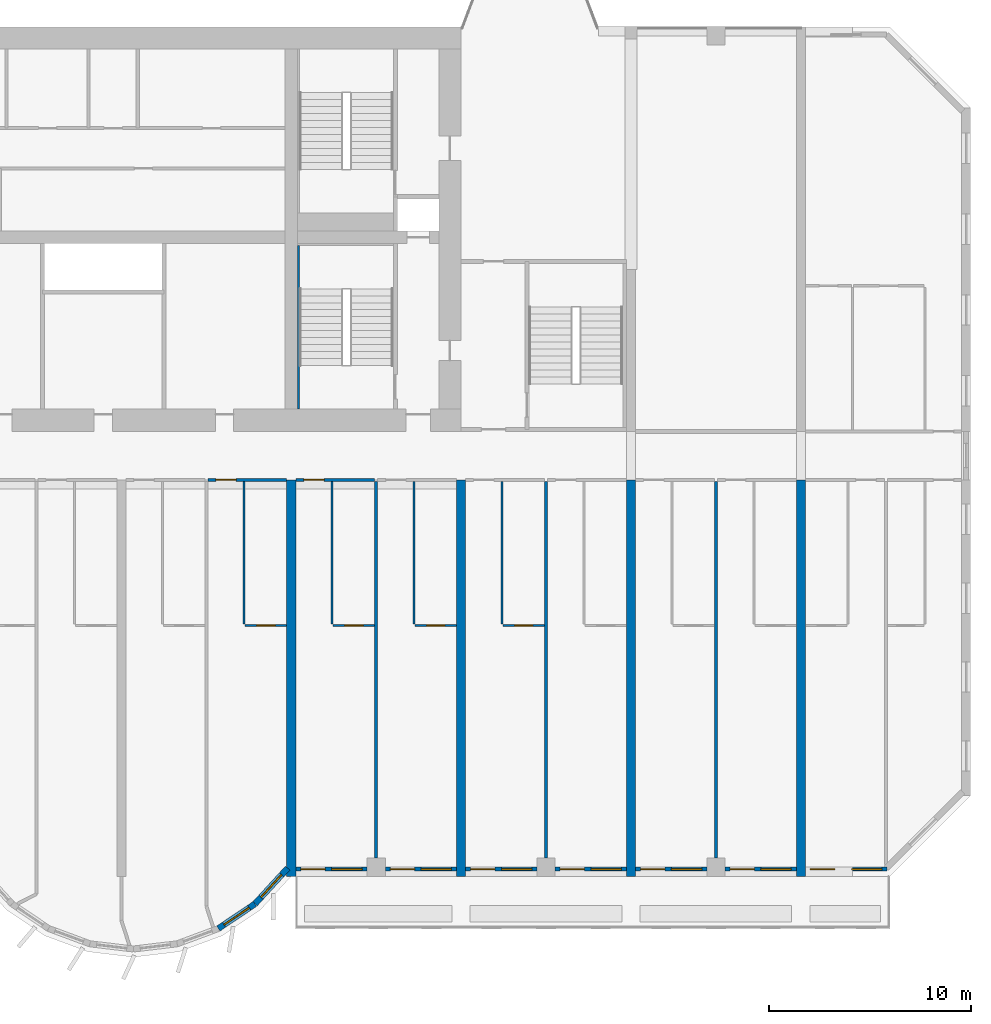
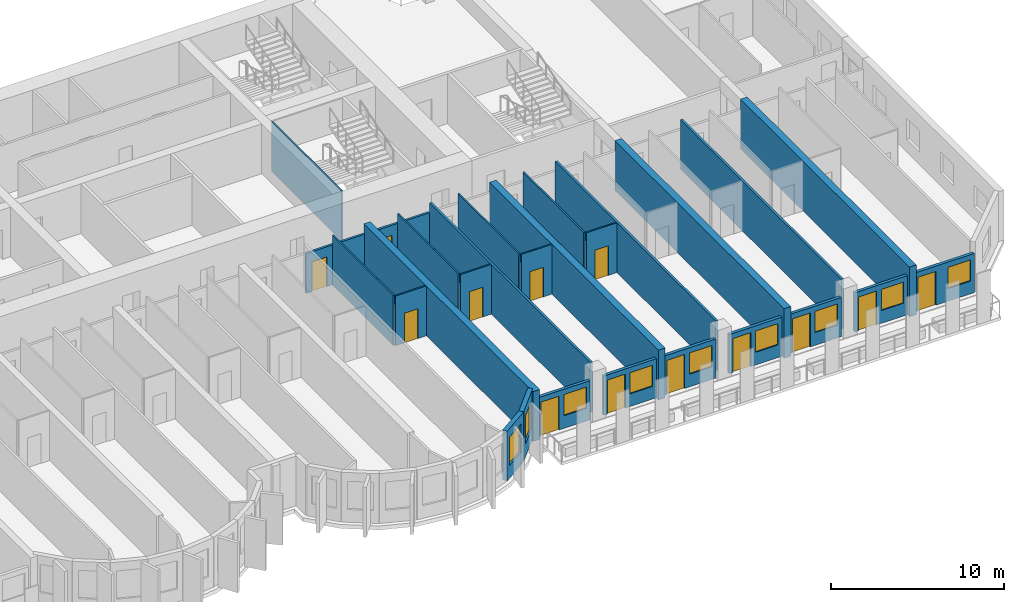
# One storey, part 8 of 14: 27 walls, 13 doors, 9 windows, 22 openings.
"""IFC4 building model written with IfcOpenShell, lengths in metres."""

from ifc_helpers import new_model, si_unit, direction, frame, frame_2d, origin, place, context, subcontext, project, spatial, rectangle, extrude, source, transform, mapped, material, layer, layer_set, type_object, element, fill, save


model = new_model("IFC4")

# Units and contexts
model_context = context("Model", 3, precision=1e-05, world=origin(), true_north=direction((0.0, 1.0)))
body_context = subcontext(model_context, "Body", "Model", "MODEL_VIEW")
ifc_project = project(units=[si_unit("LENGTHUNIT", "METRE"), si_unit("AREAUNIT", "SQUARE_METRE"), si_unit("VOLUMEUNIT", "CUBIC_METRE"), si_unit("PLANEANGLEUNIT", "RADIAN"), si_unit("MASSUNIT", "GRAM", prefix="KILO")], contexts=[model_context])

# Site, building, storey
site_placement = place(None, origin())
site = spatial("IfcSite", under=ifc_project, at=site_placement, CompositionType="ELEMENT")
building_placement = place(site_placement, origin())
building = spatial("IfcBuilding", under=site, at=building_placement, Name="Vanashikhar Sky Hotel", CompositionType="ELEMENT")
storey_placement = place(building_placement, frame((0.0, 0.0, 27.800048828125)))
storey = spatial("IfcBuildingStorey", under=building, at=storey_placement, Name="L05", CompositionType="ELEMENT", Elevation=27.800048828125)

# Walls
ifc_material_1 = material(Name="Concrete M80", Category="concrete")
ifc_layer_1 = layer(ifc_material_1, 0.449951171875)
ifc_layer_set_1 = layer_set([ifc_layer_1], Name="RC shear wall 450 Concrete M80")
wall_type_1 = type_object("IfcWallType", Name="RC shear wall 450 Concrete M80", PredefinedType="SHEAR", material=ifc_layer_set_1)
shared_shape_1 = source(origin(), body_context, "Body", "SweptSolid", [
    extrude(rectangle(XDim=19.60009765625, YDim=0.449951171875, at=frame_2d((9.800048828125, 0.0))), origin(), (0.0, 0.0, 1.0), 3.52001953125),
])
for number, where, z_axis, x_axis, name in (
    (1, (67.199951171875, 0.0, 0.0), (0.0, 0.0, 1.0), (0.0, 1.0, 0.0), "CW-L05-XW09-1"),
    (2, (75.60009765625, 0.0, 0.0), (0.0, 0.0, 1.0), (0.0, 1.0, 0.0), "CW-L05-XW10-1"),
    (3, (84.0, 0.0, 0.0), (0.0, 0.0, 1.0), (0.0, 1.0, 0.0), "CW-L05-XW11-1"),
    (4, (92.39990234375, 0.0, 0.0), (0.0, 0.0, 1.0), (0.0, 1.0, 0.0), "CW-L05-XW12-1"),
):
    element("IfcWall", number, at=place(storey_placement, frame(where, z_axis=z_axis, x_axis=x_axis)), inside=storey, type_object=wall_type_1, Name=name, PredefinedType="SHEAR", context=body_context, shape_type="MappedRepresentation", body=[
        mapped(shared_shape_1, transform((0.0, 0.0, 0.0), scale=1.0)),
    ])

# Wall, openings, window, door
ifc_material_2 = material(Name="Concrete M50", Category="concrete")
ifc_layer_2 = layer(ifc_material_2, 0.199951171875)
ifc_layer_set_2 = layer_set([ifc_layer_2], Name="Front window wall 200")
wall_type_2 = type_object("IfcWallType", Name="Front window wall 200", PredefinedType="SOLIDWALL", material=ifc_layer_set_2)
shared_shape_2 = source(origin(), body_context, "Body", "SweptSolid", [
    extrude(rectangle(XDim=4.030029296875, YDim=0.199951171875, at=frame_2d((2.01513671875, 0.0))), origin(), (0.0, 0.0, 1.0), 2.77001953125),
])
wall_1_placement = place(storey_placement, frame((92.625, 0.35009765625, 0.0), z_axis=(0.0, 0.0, 1.0), x_axis=(1.0, 0.0, 0.0)))
wall_1 = element("IfcWall", 5, at=wall_1_placement, inside=storey, type_object=wall_type_2, Name="Front window wall", PredefinedType="SOLIDWALL", context=body_context, shape_type="MappedRepresentation", body=[
    mapped(shared_shape_2, transform((0.0, 0.0, 0.0), scale=1.0)),
])
shared_shape_3 = source(origin(), body_context, "Body", "SweptSolid", [
    extrude(rectangle(XDim=1.199951171875, YDim=2.39990234375, at=frame_2d((0.60009765625, 1.199951171875))), frame((0.0, 0.10986328125, 0.0), z_axis=(0.0, -1.0, 0.0), x_axis=(1.0, 0.0, 0.0)), (0.0, 0.0, 1.0), 0.219970703125),
])
opening_1_placement = place(wall_1_placement, frame((0.25, 0.0, 0.0)))
opening_1 = element("IfcOpeningElement", 6, at=opening_1_placement, cuts=wall_1, Name="Opening BD-14", PredefinedType="OPENING", context=body_context, shape_type="MappedRepresentation", body=[
    mapped(shared_shape_3, transform((0.0, 0.0, 0.0), scale=1.0)),
])
shared_shape_4 = source(origin(), body_context, "Body", "SweptSolid", [
    extrude(rectangle(XDim=1.5, YDim=1.5, at=frame_2d((0.75, 0.75))), frame((0.0, 0.10986328125, 0.0), z_axis=(0.0, -1.0, 0.0), x_axis=(1.0, 0.0, 0.0)), (0.0, 0.0, 1.0), 0.219970703125),
])
opening_2_placement = place(wall_1_placement, frame((2.280029296875, 0.0, 0.89990234375)))
opening_2 = element("IfcOpeningElement", 7, at=opening_2_placement, cuts=wall_1, Name="Opening WN-1", PredefinedType="OPENING", context=body_context, shape_type="MappedRepresentation", body=[
    mapped(shared_shape_4, transform((0.0, 0.0, 0.0), scale=1.0)),
])
ifc_material_3 = material(Name="Glass", Category="glass")
window_type_1 = type_object("IfcWindowType", Name="Window 1500 x 1500", PartitioningType="SINGLE_PANEL", PredefinedType="WINDOW", material=ifc_material_3)
shared_shape_5 = source(origin(), body_context, "Body", "SweptSolid", [
    extrude(rectangle(XDim=1.5, YDim=1.5, at=frame_2d((0.75, 0.75))), frame((0.0, 0.030029296875, 0.0), z_axis=(0.0, -1.0, 0.0), x_axis=(1.0, 0.0, 0.0)), (0.0, 0.0, 1.0), 0.06005859375),
])
window_1_placement = place(opening_2_placement, origin())
window_1 = element("IfcWindow", 8, at=window_1_placement, inside=storey, type_object=window_type_1, Name="Window WN-1", OverallHeight=1.5, OverallWidth=1.5, PartitioningType="SINGLE_PANEL", PredefinedType="WINDOW", context=body_context, shape_type="MappedRepresentation", body=[
    mapped(shared_shape_5, transform((0.0, 0.0, 0.0), scale=1.0)),
])
fill(opening_2, window_1)
ifc_material_4 = material(Name="Aluminium", Category="aluminium")
door_type_1 = type_object("IfcDoorType", Name="Balcony sliding door 1200 x 2400", OperationType="NOTDEFINED", PredefinedType="DOOR", material=ifc_material_4)
shared_shape_6 = source(origin(), body_context, "Body", "SweptSolid", [
    extrude(rectangle(XDim=1.199951171875, YDim=2.39990234375, at=frame_2d((0.60009765625, 1.199951171875))), frame((0.0, 0.02490234375, 0.0), z_axis=(0.0, -1.0, 0.0), x_axis=(1.0, 0.0, 0.0)), (0.0, 0.0, 1.0), 0.050048828125),
])
door_1_placement = place(opening_1_placement, origin())
door_1 = element("IfcDoor", 9, at=door_1_placement, inside=storey, type_object=door_type_1, Name="Balcony sliding door", OperationType="SLIDING_TO_RIGHT", OverallHeight=2.39990234375, OverallWidth=1.199951171875, PredefinedType="DOOR", context=body_context, shape_type="MappedRepresentation", body=[
    mapped(shared_shape_6, transform((0.0, 0.0, 0.0), scale=1.0)),
])
fill(opening_1, door_1)

shared_shape_7 = source(origin(), body_context, "Body", "SweptSolid", [
    extrude(rectangle(XDim=3.52490234375, YDim=0.199951171875, at=frame_2d((1.762451171875, 0.0))), origin(), (0.0, 0.0, 1.0), 2.77001953125),
])
wall_2_placement = place(storey_placement, frame((67.425048828125, 0.35009765625, 0.0), z_axis=(0.0, 0.0, 1.0), x_axis=(1.0, 0.0, 0.0)))
wall_2 = element("IfcWall", 10, at=wall_2_placement, inside=storey, type_object=wall_type_2, Name="Front window wall", PredefinedType="SOLIDWALL", context=body_context, shape_type="MappedRepresentation", body=[
    mapped(shared_shape_7, transform((0.0, 0.0, 0.0), scale=1.0)),
])
opening_3_placement = place(wall_2_placement, frame((0.25, 0.0, 0.0)))
opening_3 = element("IfcOpeningElement", 11, at=opening_3_placement, cuts=wall_2, Name="Opening BD-08", PredefinedType="OPENING", context=body_context, shape_type="MappedRepresentation", body=[
    mapped(shared_shape_3, transform((0.0, 0.0, 0.0), scale=1.0)),
])
opening_4_placement = place(wall_2_placement, frame((1.77490234375, 0.0, 0.89990234375)))
opening_4 = element("IfcOpeningElement", 12, at=opening_4_placement, cuts=wall_2, Name="Opening WN-1", PredefinedType="OPENING", context=body_context, shape_type="MappedRepresentation", body=[
    mapped(shared_shape_4, transform((0.0, 0.0, 0.0), scale=1.0)),
])
window_2_placement = place(opening_4_placement, origin())
window_2 = element("IfcWindow", 13, at=window_2_placement, inside=storey, type_object=window_type_1, Name="Window WN-1", OverallHeight=1.5, OverallWidth=1.5, PartitioningType="SINGLE_PANEL", PredefinedType="WINDOW", context=body_context, shape_type="MappedRepresentation", body=[
    mapped(shared_shape_5, transform((0.0, 0.0, 0.0), scale=1.0)),
])
fill(opening_4, window_2)
door_2_placement = place(opening_3_placement, origin())
door_2 = element("IfcDoor", 14, at=door_2_placement, inside=storey, type_object=door_type_1, Name="Balcony sliding door", OperationType="SLIDING_TO_RIGHT", OverallHeight=2.39990234375, OverallWidth=1.199951171875, PredefinedType="DOOR", context=body_context, shape_type="MappedRepresentation", body=[
    mapped(shared_shape_6, transform((0.0, 0.0, 0.0), scale=1.0)),
])
fill(opening_3, door_2)

wall_3_placement = place(storey_placement, frame((71.85009765625, 0.35009765625, 0.0), z_axis=(0.0, 0.0, 1.0), x_axis=(1.0, 0.0, 0.0)))
wall_3 = element("IfcWall", 15, at=wall_3_placement, inside=storey, type_object=wall_type_2, Name="Front window wall", PredefinedType="SOLIDWALL", context=body_context, shape_type="MappedRepresentation", body=[
    mapped(shared_shape_7, transform((0.0, 0.0, 0.0), scale=1.0)),
])
opening_5_placement = place(wall_3_placement, frame((0.25, 0.0, 0.0)))
opening_5 = element("IfcOpeningElement", 16, at=opening_5_placement, cuts=wall_3, Name="Opening BD-09", PredefinedType="OPENING", context=body_context, shape_type="MappedRepresentation", body=[
    mapped(shared_shape_3, transform((0.0, 0.0, 0.0), scale=1.0)),
])
opening_6_placement = place(wall_3_placement, frame((1.77490234375, 0.0, 0.89990234375)))
opening_6 = element("IfcOpeningElement", 17, at=opening_6_placement, cuts=wall_3, Name="Opening WN-1", PredefinedType="OPENING", context=body_context, shape_type="MappedRepresentation", body=[
    mapped(shared_shape_4, transform((0.0, 0.0, 0.0), scale=1.0)),
])
window_3_placement = place(opening_6_placement, origin())
window_3 = element("IfcWindow", 18, at=window_3_placement, inside=storey, type_object=window_type_1, Name="Window WN-1", OverallHeight=1.5, OverallWidth=1.5, PartitioningType="SINGLE_PANEL", PredefinedType="WINDOW", context=body_context, shape_type="MappedRepresentation", body=[
    mapped(shared_shape_5, transform((0.0, 0.0, 0.0), scale=1.0)),
])
fill(opening_6, window_3)
door_3_placement = place(opening_5_placement, origin())
door_3 = element("IfcDoor", 19, at=door_3_placement, inside=storey, type_object=door_type_1, Name="Balcony sliding door", OperationType="SLIDING_TO_LEFT", OverallHeight=2.39990234375, OverallWidth=1.199951171875, PredefinedType="DOOR", context=body_context, shape_type="MappedRepresentation", body=[
    mapped(shared_shape_6, transform((0.0, 0.0, 0.0), scale=1.0)),
])
fill(opening_5, door_3)

wall_4_placement = place(storey_placement, frame((80.25, 0.35009765625, 0.0), z_axis=(0.0, 0.0, 1.0), x_axis=(1.0, 0.0, 0.0)))
wall_4 = element("IfcWall", 20, at=wall_4_placement, inside=storey, type_object=wall_type_2, Name="Front window wall", PredefinedType="SOLIDWALL", context=body_context, shape_type="MappedRepresentation", body=[
    mapped(shared_shape_7, transform((0.0, 0.0, 0.0), scale=1.0)),
])
opening_7_placement = place(wall_4_placement, frame((0.25, 0.0, 0.0)))
opening_7 = element("IfcOpeningElement", 21, at=opening_7_placement, cuts=wall_4, Name="Opening BD-11", PredefinedType="OPENING", context=body_context, shape_type="MappedRepresentation", body=[
    mapped(shared_shape_3, transform((0.0, 0.0, 0.0), scale=1.0)),
])
opening_8_placement = place(wall_4_placement, frame((1.77490234375, 0.0, 0.89990234375)))
opening_8 = element("IfcOpeningElement", 22, at=opening_8_placement, cuts=wall_4, Name="Opening WN-1", PredefinedType="OPENING", context=body_context, shape_type="MappedRepresentation", body=[
    mapped(shared_shape_4, transform((0.0, 0.0, 0.0), scale=1.0)),
])
window_4_placement = place(opening_8_placement, origin())
window_4 = element("IfcWindow", 23, at=window_4_placement, inside=storey, type_object=window_type_1, Name="Window WN-1", OverallHeight=1.5, OverallWidth=1.5, PartitioningType="SINGLE_PANEL", PredefinedType="WINDOW", context=body_context, shape_type="MappedRepresentation", body=[
    mapped(shared_shape_5, transform((0.0, 0.0, 0.0), scale=1.0)),
])
fill(opening_8, window_4)
door_4_placement = place(opening_7_placement, origin())
door_4 = element("IfcDoor", 24, at=door_4_placement, inside=storey, type_object=door_type_1, Name="Balcony sliding door", OperationType="SLIDING_TO_LEFT", OverallHeight=2.39990234375, OverallWidth=1.199951171875, PredefinedType="DOOR", context=body_context, shape_type="MappedRepresentation", body=[
    mapped(shared_shape_6, transform((0.0, 0.0, 0.0), scale=1.0)),
])
fill(opening_7, door_4)

wall_5_placement = place(storey_placement, frame((84.22509765625, 0.35009765625, 0.0), z_axis=(0.0, 0.0, 1.0), x_axis=(1.0, 0.0, 0.0)))
wall_5 = element("IfcWall", 25, at=wall_5_placement, inside=storey, type_object=wall_type_2, Name="Front window wall", PredefinedType="SOLIDWALL", context=body_context, shape_type="MappedRepresentation", body=[
    mapped(shared_shape_7, transform((0.0, 0.0, 0.0), scale=1.0)),
])
opening_9_placement = place(wall_5_placement, frame((0.25, 0.0, 0.0)))
opening_9 = element("IfcOpeningElement", 26, at=opening_9_placement, cuts=wall_5, Name="Opening BD-12", PredefinedType="OPENING", context=body_context, shape_type="MappedRepresentation", body=[
    mapped(shared_shape_3, transform((0.0, 0.0, 0.0), scale=1.0)),
])
opening_10_placement = place(wall_5_placement, frame((1.77490234375, 0.0, 0.89990234375)))
opening_10 = element("IfcOpeningElement", 27, at=opening_10_placement, cuts=wall_5, Name="Opening WN-1", PredefinedType="OPENING", context=body_context, shape_type="MappedRepresentation", body=[
    mapped(shared_shape_4, transform((0.0, 0.0, 0.0), scale=1.0)),
])
window_5_placement = place(opening_10_placement, origin())
window_5 = element("IfcWindow", 28, at=window_5_placement, inside=storey, type_object=window_type_1, Name="Window WN-1", OverallHeight=1.5, OverallWidth=1.5, PartitioningType="SINGLE_PANEL", PredefinedType="WINDOW", context=body_context, shape_type="MappedRepresentation", body=[
    mapped(shared_shape_5, transform((0.0, 0.0, 0.0), scale=1.0)),
])
fill(opening_10, window_5)
door_5_placement = place(opening_9_placement, origin())
door_5 = element("IfcDoor", 29, at=door_5_placement, inside=storey, type_object=door_type_1, Name="Balcony sliding door", OperationType="SLIDING_TO_RIGHT", OverallHeight=2.39990234375, OverallWidth=1.199951171875, PredefinedType="DOOR", context=body_context, shape_type="MappedRepresentation", body=[
    mapped(shared_shape_6, transform((0.0, 0.0, 0.0), scale=1.0)),
])
fill(opening_9, door_5)

shared_shape_8 = source(origin(), body_context, "Body", "SweptSolid", [
    extrude(rectangle(XDim=3.525146484375, YDim=0.199951171875, at=frame_2d((1.7626953125, 0.0))), origin(), (0.0, 0.0, 1.0), 2.77001953125),
])
wall_6_placement = place(storey_placement, frame((75.824951171875, 0.35009765625, 0.0), z_axis=(0.0, 0.0, 1.0), x_axis=(1.0, 0.0, 0.0)))
wall_6 = element("IfcWall", 30, at=wall_6_placement, inside=storey, type_object=wall_type_2, Name="Front window wall", PredefinedType="SOLIDWALL", context=body_context, shape_type="MappedRepresentation", body=[
    mapped(shared_shape_8, transform((0.0, 0.0, 0.0), scale=1.0)),
])
opening_11_placement = place(wall_6_placement, frame((0.25, 0.0, 0.0)))
opening_11 = element("IfcOpeningElement", 31, at=opening_11_placement, cuts=wall_6, Name="Opening BD-10", PredefinedType="OPENING", context=body_context, shape_type="MappedRepresentation", body=[
    mapped(shared_shape_3, transform((0.0, 0.0, 0.0), scale=1.0)),
])
opening_12_placement = place(wall_6_placement, frame((1.77490234375, 0.0, 0.89990234375)))
opening_12 = element("IfcOpeningElement", 32, at=opening_12_placement, cuts=wall_6, Name="Opening WN-1", PredefinedType="OPENING", context=body_context, shape_type="MappedRepresentation", body=[
    mapped(shared_shape_4, transform((0.0, 0.0, 0.0), scale=1.0)),
])
window_6_placement = place(opening_12_placement, origin())
window_6 = element("IfcWindow", 33, at=window_6_placement, inside=storey, type_object=window_type_1, Name="Window WN-1", OverallHeight=1.5, OverallWidth=1.5, PartitioningType="SINGLE_PANEL", PredefinedType="WINDOW", context=body_context, shape_type="MappedRepresentation", body=[
    mapped(shared_shape_5, transform((0.0, 0.0, 0.0), scale=1.0)),
])
fill(opening_12, window_6)
door_6_placement = place(opening_11_placement, origin())
door_6 = element("IfcDoor", 34, at=door_6_placement, inside=storey, type_object=door_type_1, Name="Balcony sliding door", OperationType="SLIDING_TO_RIGHT", OverallHeight=2.39990234375, OverallWidth=1.199951171875, PredefinedType="DOOR", context=body_context, shape_type="MappedRepresentation", body=[
    mapped(shared_shape_6, transform((0.0, 0.0, 0.0), scale=1.0)),
])
fill(opening_11, door_6)

wall_7_placement = place(storey_placement, frame((88.64990234375, 0.35009765625, 0.0), z_axis=(0.0, 0.0, 1.0), x_axis=(1.0, 0.0, 0.0)))
wall_7 = element("IfcWall", 35, at=wall_7_placement, inside=storey, type_object=wall_type_2, Name="Front window wall", PredefinedType="SOLIDWALL", context=body_context, shape_type="MappedRepresentation", body=[
    mapped(shared_shape_8, transform((0.0, 0.0, 0.0), scale=1.0)),
])
opening_13_placement = place(wall_7_placement, frame((0.25, 0.0, 0.0)))
opening_13 = element("IfcOpeningElement", 36, at=opening_13_placement, cuts=wall_7, Name="Opening BD-13", PredefinedType="OPENING", context=body_context, shape_type="MappedRepresentation", body=[
    mapped(shared_shape_3, transform((0.0, 0.0, 0.0), scale=1.0)),
])
opening_14_placement = place(wall_7_placement, frame((1.77490234375, 0.0, 0.89990234375)))
opening_14 = element("IfcOpeningElement", 37, at=opening_14_placement, cuts=wall_7, Name="Opening WN-1", PredefinedType="OPENING", context=body_context, shape_type="MappedRepresentation", body=[
    mapped(shared_shape_4, transform((0.0, 0.0, 0.0), scale=1.0)),
])
window_7_placement = place(opening_14_placement, origin())
window_7 = element("IfcWindow", 38, at=window_7_placement, inside=storey, type_object=window_type_1, Name="Window WN-1", OverallHeight=1.5, OverallWidth=1.5, PartitioningType="SINGLE_PANEL", PredefinedType="WINDOW", context=body_context, shape_type="MappedRepresentation", body=[
    mapped(shared_shape_5, transform((0.0, 0.0, 0.0), scale=1.0)),
])
fill(opening_14, window_7)
door_7_placement = place(opening_13_placement, origin())
door_7 = element("IfcDoor", 39, at=door_7_placement, inside=storey, type_object=door_type_1, Name="Balcony sliding door", OperationType="SLIDING_TO_LEFT", OverallHeight=2.39990234375, OverallWidth=1.199951171875, PredefinedType="DOOR", context=body_context, shape_type="MappedRepresentation", body=[
    mapped(shared_shape_6, transform((0.0, 0.0, 0.0), scale=1.0)),
])
fill(opening_13, door_7)

# Wall, opening, window
ifc_layer_3 = layer(ifc_material_2, 0.300048828125)
ifc_layer_set_3 = layer_set([ifc_layer_3], Name="Lobe wall 300")
wall_type_3 = type_object("IfcWallType", Name="Lobe wall 300", PredefinedType="SOLIDWALL", material=ifc_layer_set_3)
shared_shape_9 = source(origin(), body_context, "Body", "SweptSolid", [
    extrude(rectangle(XDim=2.398193359375, YDim=0.300048828125, at=frame_2d((1.19921875, 0.0))), origin(), (0.0, 0.0, 1.0), 3.52001953125),
])
wall_8_placement = place(storey_placement, frame((65.404296875, -1.36865234375, 0.0), z_axis=(0.0, 0.0, 1.0), x_axis=(0.675374189419, 0.737475222815, 0.0)))
wall_8 = element("IfcWall", 40, at=wall_8_placement, inside=storey, type_object=wall_type_3, Name="Lobe wall", PredefinedType="SOLIDWALL", context=body_context, shape_type="MappedRepresentation", body=[
    mapped(shared_shape_9, transform((0.0, 0.0, 0.0), scale=1.0)),
])
shared_shape_10 = source(origin(), body_context, "Body", "SweptSolid", [
    extrude(rectangle(XDim=1.5, YDim=2.0, at=frame_2d((0.75, 1.0))), frame((0.0, 0.16015625, 0.0), z_axis=(0.0, -1.0, 0.0), x_axis=(1.0, 0.0, 0.0)), (0.0, 0.0, 1.0), 0.320068359375),
])
opening_15_placement = place(wall_8_placement, frame((0.44921875, 0.0, 0.89990234375)))
opening_15 = element("IfcOpeningElement", 41, at=opening_15_placement, cuts=wall_8, Name="Opening WN-2", PredefinedType="OPENING", context=body_context, shape_type="MappedRepresentation", body=[
    mapped(shared_shape_10, transform((0.0, 0.0, 0.0), scale=1.0)),
])
window_type_2 = type_object("IfcWindowType", Name="Lobe window 1500 x 2000", PartitioningType="SINGLE_PANEL", PredefinedType="WINDOW", material=ifc_material_3)
shared_shape_11 = source(origin(), body_context, "Body", "SweptSolid", [
    extrude(rectangle(XDim=1.5, YDim=2.0, at=frame_2d((0.75, 1.0))), frame((0.0, 0.030029296875, 0.0), z_axis=(0.0, -1.0, 0.0), x_axis=(1.0, 0.0, 0.0)), (0.0, 0.0, 1.0), 0.06005859375),
])
window_8_placement = place(opening_15_placement, origin())
window_8 = element("IfcWindow", 42, at=window_8_placement, inside=storey, type_object=window_type_2, Name="Window WN-2", OverallHeight=2.0, OverallWidth=1.5, PartitioningType="SINGLE_PANEL", PredefinedType="WINDOW", context=body_context, shape_type="MappedRepresentation", body=[
    mapped(shared_shape_11, transform((0.0, 0.0, 0.0), scale=1.0)),
])
fill(opening_15, window_8)

shared_shape_12 = source(origin(), body_context, "Body", "SweptSolid", [
    extrude(rectangle(XDim=2.17578125, YDim=0.300048828125, at=frame_2d((1.087890625, 0.0))), origin(), (0.0, 0.0, 1.0), 3.52001953125),
])
wall_9_placement = place(storey_placement, frame((63.59912109375, -2.58349609375, 0.0), z_axis=(0.0, 0.0, 1.0), x_axis=(0.829625727223, 0.558319937607, 0.0)))
wall_9 = element("IfcWall", 43, at=wall_9_placement, inside=storey, type_object=wall_type_3, Name="Lobe wall", PredefinedType="SOLIDWALL", context=body_context, shape_type="MappedRepresentation", body=[
    mapped(shared_shape_12, transform((0.0, 0.0, 0.0), scale=1.0)),
])
opening_16_placement = place(wall_9_placement, frame((0.337890625, 0.0, 0.89990234375)))
opening_16 = element("IfcOpeningElement", 44, at=opening_16_placement, cuts=wall_9, Name="Opening WN-2", PredefinedType="OPENING", context=body_context, shape_type="MappedRepresentation", body=[
    mapped(shared_shape_10, transform((0.0, 0.0, 0.0), scale=1.0)),
])
window_9_placement = place(opening_16_placement, origin())
window_9 = element("IfcWindow", 45, at=window_9_placement, inside=storey, type_object=window_type_2, Name="Window WN-2", OverallHeight=2.0, OverallWidth=1.5, PartitioningType="SINGLE_PANEL", PredefinedType="WINDOW", context=body_context, shape_type="MappedRepresentation", body=[
    mapped(shared_shape_11, transform((0.0, 0.0, 0.0), scale=1.0)),
])
fill(opening_16, window_9)

# Walls
ifc_layer_4 = layer(ifc_material_2, 0.10009765625)
ifc_layer_set_4 = layer_set([ifc_layer_4], Name="Stair infill wall 100")
wall_type_4 = type_object("IfcWallType", Name="Stair infill wall 100", PredefinedType="SOLIDWALL", material=ifc_layer_set_4)
shared_shape_13 = source(origin(), body_context, "Body", "SweptSolid", [
    extrude(rectangle(XDim=8.099853515625, YDim=0.10009765625, at=frame_2d((4.0498046875, 0.0))), origin(), (0.0, 0.0, 1.0), 3.52001953125),
])
wall_10_placement = place(storey_placement, frame((67.550048828125, 23.10009765625, 0.0), z_axis=(0.0, 0.0, 1.0), x_axis=(0.0, 1.0, 0.0)))
element("IfcWall", 46, at=wall_10_placement, inside=storey, type_object=wall_type_4, Name="Stair infill wall 100", PredefinedType="SOLIDWALL", context=body_context, shape_type="MappedRepresentation", body=[
    mapped(shared_shape_13, transform((0.0, 0.0, 0.0), scale=1.0)),
])
ifc_material_5 = material(Name="Gypsum plasterboard partition")
ifc_layer_5 = layer(ifc_material_5, 0.10009765625)
ifc_layer_set_5 = layer_set([ifc_layer_5], Name="Wet room partition 100")
wall_type_5 = type_object("IfcWallType", Name="Wet room partition 100", PredefinedType="PARTITIONING", material=ifc_layer_set_5)
shared_shape_14 = source(origin(), body_context, "Body", "SweptSolid", [
    extrude(rectangle(XDim=7.0498046875, YDim=0.10009765625, at=frame_2d((3.52490234375, 0.0))), origin(), (0.0, 0.0, 1.0), 3.52001953125),
])
for number, where, z_axis, x_axis, name in (
    (47, (64.875, 12.47509765625, 0.0), (0.0, 0.0, 1.0), (0.0, 1.0, 0.0), "W-L05-PW053"),
    (48, (69.22509765625, 12.47509765625, 0.0), (0.0, 0.0, 1.0), (0.0, 1.0, 0.0), "W-L05-PW057"),
    (49, (73.27490234375, 12.47509765625, 0.0), (0.0, 0.0, 1.0), (0.0, 1.0, 0.0), "W-L05-PW060"),
    (50, (77.625, 12.47509765625, 0.0), (0.0, 0.0, 1.0), (0.0, 1.0, 0.0), "W-L05-PW064"),
):
    element("IfcWall", number, at=place(storey_placement, frame(where, z_axis=z_axis, x_axis=x_axis)), inside=storey, type_object=wall_type_5, Name=name, PredefinedType="PARTITIONING", context=body_context, shape_type="MappedRepresentation", body=[
        mapped(shared_shape_14, transform((0.0, 0.0, 0.0), scale=1.0)),
    ])

# Wall, opening, door
shared_shape_15 = source(origin(), body_context, "Body", "SweptSolid", [
    extrude(rectangle(XDim=2.050048828125, YDim=0.10009765625, at=frame_2d((1.02490234375, 0.0))), origin(), (0.0, 0.0, 1.0), 3.52001953125),
])
wall_11_placement = place(storey_placement, frame((64.925048828125, 12.39990234375, 0.0), z_axis=(0.0, 0.0, 1.0), x_axis=(1.0, 0.0, 0.0)))
wall_11 = element("IfcWall", 51, at=wall_11_placement, inside=storey, type_object=wall_type_5, Name="W-L05-PW054", PredefinedType="PARTITIONING", context=body_context, shape_type="MappedRepresentation", body=[
    mapped(shared_shape_15, transform((0.0, 0.0, 0.0), scale=1.0)),
])
shared_shape_16 = source(origin(), body_context, "Body", "SweptSolid", [
    extrude(rectangle(XDim=0.89990234375, YDim=2.10009765625, at=frame_2d((0.449951171875, 1.050048828125))), frame((0.0, 0.06005859375, 0.0), z_axis=(0.0, -1.0, 0.0), x_axis=(1.0, 0.0, 0.0)), (0.0, 0.0, 1.0), 0.1201171875),
])
opening_17_placement = place(wall_11_placement, frame((0.574951171875, 0.0, 0.0)))
opening_17 = element("IfcOpeningElement", 52, at=opening_17_placement, cuts=wall_11, Name="Opening D-02", PredefinedType="OPENING", context=body_context, shape_type="MappedRepresentation", body=[
    mapped(shared_shape_16, transform((0.0, 0.0, 0.0), scale=1.0)),
])
ifc_material_6 = material(Name="Timber door", Category="wood")
door_type_2 = type_object("IfcDoorType", Name="Internal door 900", OperationType="NOTDEFINED", PredefinedType="DOOR", material=ifc_material_6)
shared_shape_17 = source(origin(), body_context, "Body", "SweptSolid", [
    extrude(rectangle(XDim=0.89990234375, YDim=2.10009765625, at=frame_2d((0.449951171875, 1.050048828125))), frame((0.0, 0.02490234375, 0.0), z_axis=(0.0, -1.0, 0.0), x_axis=(1.0, 0.0, 0.0)), (0.0, 0.0, 1.0), 0.050048828125),
])
door_8_placement = place(opening_17_placement, origin())
door_8 = element("IfcDoor", 53, at=door_8_placement, inside=storey, type_object=door_type_2, Name="D-L05-031", OperationType="SINGLE_SWING_LEFT", OverallHeight=2.10009765625, OverallWidth=0.89990234375, PredefinedType="DOOR", context=body_context, shape_type="MappedRepresentation", body=[
    mapped(shared_shape_17, transform((0.0, 0.0, 0.0), scale=1.0)),
])
fill(opening_17, door_8)

wall_12_placement = place(storey_placement, frame((69.27490234375, 12.39990234375, 0.0), z_axis=(0.0, 0.0, 1.0), x_axis=(1.0, 0.0, 0.0)))
wall_12 = element("IfcWall", 54, at=wall_12_placement, inside=storey, type_object=wall_type_5, Name="W-L05-PW058", PredefinedType="PARTITIONING", context=body_context, shape_type="MappedRepresentation", body=[
    mapped(shared_shape_15, transform((0.0, 0.0, 0.0), scale=1.0)),
])
opening_18_placement = place(wall_12_placement, frame((0.574951171875, 0.0, 0.0)))
opening_18 = element("IfcOpeningElement", 55, at=opening_18_placement, cuts=wall_12, Name="Opening D-02", PredefinedType="OPENING", context=body_context, shape_type="MappedRepresentation", body=[
    mapped(shared_shape_16, transform((0.0, 0.0, 0.0), scale=1.0)),
])
door_9_placement = place(opening_18_placement, origin())
door_9 = element("IfcDoor", 56, at=door_9_placement, inside=storey, type_object=door_type_2, Name="D-L05-033", OperationType="SINGLE_SWING_LEFT", OverallHeight=2.10009765625, OverallWidth=0.89990234375, PredefinedType="DOOR", context=body_context, shape_type="MappedRepresentation", body=[
    mapped(shared_shape_17, transform((0.0, 0.0, 0.0), scale=1.0)),
])
fill(opening_18, door_9)

wall_13_placement = place(storey_placement, frame((73.324951171875, 12.39990234375, 0.0), z_axis=(0.0, 0.0, 1.0), x_axis=(1.0, 0.0, 0.0)))
wall_13 = element("IfcWall", 57, at=wall_13_placement, inside=storey, type_object=wall_type_5, Name="W-L05-PW061", PredefinedType="PARTITIONING", context=body_context, shape_type="MappedRepresentation", body=[
    mapped(shared_shape_15, transform((0.0, 0.0, 0.0), scale=1.0)),
])
opening_19_placement = place(wall_13_placement, frame((0.574951171875, 0.0, 0.0)))
opening_19 = element("IfcOpeningElement", 58, at=opening_19_placement, cuts=wall_13, Name="Opening D-02", PredefinedType="OPENING", context=body_context, shape_type="MappedRepresentation", body=[
    mapped(shared_shape_16, transform((0.0, 0.0, 0.0), scale=1.0)),
])
door_10_placement = place(opening_19_placement, origin())
door_10 = element("IfcDoor", 59, at=door_10_placement, inside=storey, type_object=door_type_2, Name="D-L05-035", OperationType="SINGLE_SWING_LEFT", OverallHeight=2.10009765625, OverallWidth=0.89990234375, PredefinedType="DOOR", context=body_context, shape_type="MappedRepresentation", body=[
    mapped(shared_shape_17, transform((0.0, 0.0, 0.0), scale=1.0)),
])
fill(opening_19, door_10)

wall_14_placement = place(storey_placement, frame((77.675048828125, 12.39990234375, 0.0), z_axis=(0.0, 0.0, 1.0), x_axis=(1.0, 0.0, 0.0)))
wall_14 = element("IfcWall", 60, at=wall_14_placement, inside=storey, type_object=wall_type_5, Name="W-L05-PW065", PredefinedType="PARTITIONING", context=body_context, shape_type="MappedRepresentation", body=[
    mapped(shared_shape_15, transform((0.0, 0.0, 0.0), scale=1.0)),
])
opening_20_placement = place(wall_14_placement, frame((0.574951171875, 0.0, 0.0)))
opening_20 = element("IfcOpeningElement", 61, at=opening_20_placement, cuts=wall_14, Name="Opening D-02", PredefinedType="OPENING", context=body_context, shape_type="MappedRepresentation", body=[
    mapped(shared_shape_16, transform((0.0, 0.0, 0.0), scale=1.0)),
])
door_11_placement = place(opening_20_placement, origin())
door_11 = element("IfcDoor", 62, at=door_11_placement, inside=storey, type_object=door_type_2, Name="D-L05-037", OperationType="SINGLE_SWING_LEFT", OverallHeight=2.10009765625, OverallWidth=0.89990234375, PredefinedType="DOOR", context=body_context, shape_type="MappedRepresentation", body=[
    mapped(shared_shape_17, transform((0.0, 0.0, 0.0), scale=1.0)),
])
fill(opening_20, door_11)

ifc_layer_6 = layer(ifc_material_5, 0.14990234375)
ifc_layer_set_6 = layer_set([ifc_layer_6], Name="Corridor and demising partition 150")
wall_type_6 = type_object("IfcWallType", Name="Corridor and demising partition 150", PredefinedType="PARTITIONING", material=ifc_layer_set_6)
shared_shape_18 = source(origin(), body_context, "Body", "SweptSolid", [
    extrude(rectangle(XDim=3.900146484375, YDim=0.14990234375, at=frame_2d((1.9501953125, 0.0))), origin(), (0.0, 0.0, 1.0), 2.820068359375),
])
wall_15_placement = place(storey_placement, frame((63.074951171875, 19.60009765625, 0.0), z_axis=(0.0, 0.0, 1.0), x_axis=(1.0, 0.0, 0.0)))
wall_15 = element("IfcWall", 63, at=wall_15_placement, inside=storey, type_object=wall_type_6, Name="W-L05-PW055", PredefinedType="PARTITIONING", context=body_context, shape_type="MappedRepresentation", body=[
    mapped(shared_shape_18, transform((0.0, 0.0, 0.0), scale=1.0)),
])
shared_shape_19 = source(origin(), body_context, "Body", "SweptSolid", [
    extrude(rectangle(XDim=1.0, YDim=2.10009765625, at=frame_2d((0.5, 1.050048828125))), frame((0.0, 0.0849609375, 0.0), z_axis=(0.0, -1.0, 0.0), x_axis=(1.0, 0.0, 0.0)), (0.0, 0.0, 1.0), 0.169921875),
])
opening_21_placement = place(wall_15_placement, frame((0.39990234375, 0.0, 0.0)))
opening_21 = element("IfcOpeningElement", 64, at=opening_21_placement, cuts=wall_15, Name="Opening D-01", PredefinedType="OPENING", context=body_context, shape_type="MappedRepresentation", body=[
    mapped(shared_shape_19, transform((0.0, 0.0, 0.0), scale=1.0)),
])
ifc_material_7 = material(Name="Timber fire door", Category="wood")
door_type_3 = type_object("IfcDoorType", Name="Guest entry door 1000 FD30S", OperationType="NOTDEFINED", PredefinedType="DOOR", material=ifc_material_7)
shared_shape_20 = source(origin(), body_context, "Body", "SweptSolid", [
    extrude(rectangle(XDim=1.0, YDim=2.10009765625, at=frame_2d((0.5, 1.050048828125))), frame((0.0, 0.02490234375, 0.0), z_axis=(0.0, -1.0, 0.0), x_axis=(1.0, 0.0, 0.0)), (0.0, 0.0, 1.0), 0.050048828125),
])
door_12_placement = place(opening_21_placement, origin())
door_12 = element("IfcDoor", 65, at=door_12_placement, inside=storey, type_object=door_type_3, Name="D-L05-032", OperationType="SINGLE_SWING_LEFT", OverallHeight=2.10009765625, OverallWidth=1.0, PredefinedType="DOOR", context=body_context, shape_type="MappedRepresentation", body=[
    mapped(shared_shape_20, transform((0.0, 0.0, 0.0), scale=1.0)),
])
fill(opening_21, door_12)

shared_shape_21 = source(origin(), body_context, "Body", "SweptSolid", [
    extrude(rectangle(XDim=3.89990234375, YDim=0.14990234375, at=frame_2d((1.949951171875, 0.0))), origin(), (0.0, 0.0, 1.0), 2.820068359375),
])
wall_16_placement = place(storey_placement, frame((67.425048828125, 19.60009765625, 0.0), z_axis=(0.0, 0.0, 1.0), x_axis=(1.0, 0.0, 0.0)))
wall_16 = element("IfcWall", 66, at=wall_16_placement, inside=storey, type_object=wall_type_6, Name="W-L05-PW059", PredefinedType="PARTITIONING", context=body_context, shape_type="MappedRepresentation", body=[
    mapped(shared_shape_21, transform((0.0, 0.0, 0.0), scale=1.0)),
])
opening_22_placement = place(wall_16_placement, frame((0.39990234375, 0.0, 0.0)))
opening_22 = element("IfcOpeningElement", 67, at=opening_22_placement, cuts=wall_16, Name="Opening D-01", PredefinedType="OPENING", context=body_context, shape_type="MappedRepresentation", body=[
    mapped(shared_shape_19, transform((0.0, 0.0, 0.0), scale=1.0)),
])
door_13_placement = place(opening_22_placement, origin())
door_13 = element("IfcDoor", 68, at=door_13_placement, inside=storey, type_object=door_type_3, Name="D-L05-034", OperationType="SINGLE_SWING_LEFT", OverallHeight=2.10009765625, OverallWidth=1.0, PredefinedType="DOOR", context=body_context, shape_type="MappedRepresentation", body=[
    mapped(shared_shape_20, transform((0.0, 0.0, 0.0), scale=1.0)),
])
fill(opening_22, door_13)

# Walls
shared_shape_22 = source(origin(), body_context, "Body", "SweptSolid", [
    extrude(rectangle(XDim=18.625, YDim=0.14990234375, at=frame_2d((9.3125, 0.0))), origin(), (0.0, 0.0, 1.0), 3.52001953125),
])
for number, where, z_axis, x_axis, name in (
    (69, (71.39990234375, 0.89990234375, 0.0), (0.0, 0.0, 1.0), (0.0, 1.0, 0.0), "W-L05-PW063"),
    (70, (79.800048828125, 0.89990234375, 0.0), (0.0, 0.0, 1.0), (0.0, 1.0, 0.0), "W-L05-PW070"),
    (71, (88.199951171875, 0.89990234375, 0.0), (0.0, 0.0, 1.0), (0.0, 1.0, 0.0), "W-L05-PW077"),
):
    element("IfcWall", number, at=place(storey_placement, frame(where, z_axis=z_axis, x_axis=x_axis)), inside=storey, type_object=wall_type_6, Name=name, PredefinedType="PARTITIONING", context=body_context, shape_type="MappedRepresentation", body=[
        mapped(shared_shape_22, transform((0.0, 0.0, 0.0), scale=1.0)),
    ])

save(model, "model.ifc")
